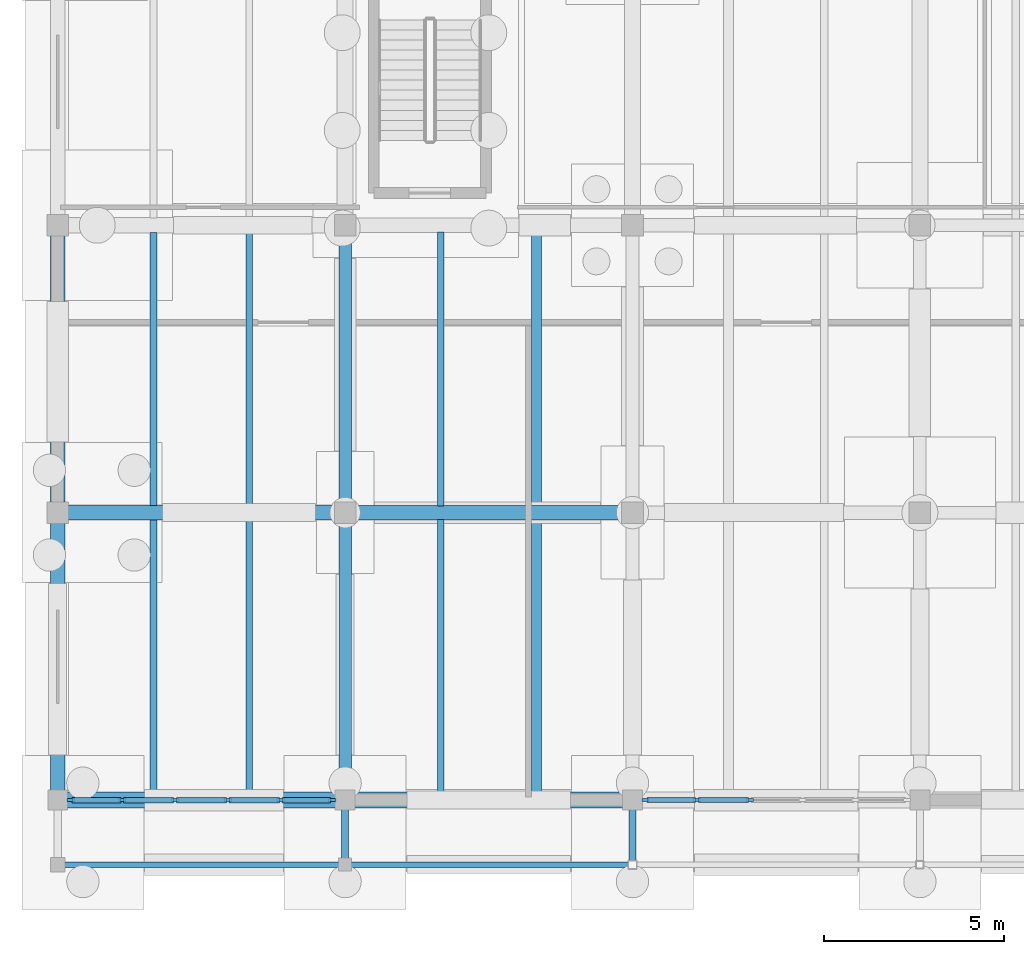
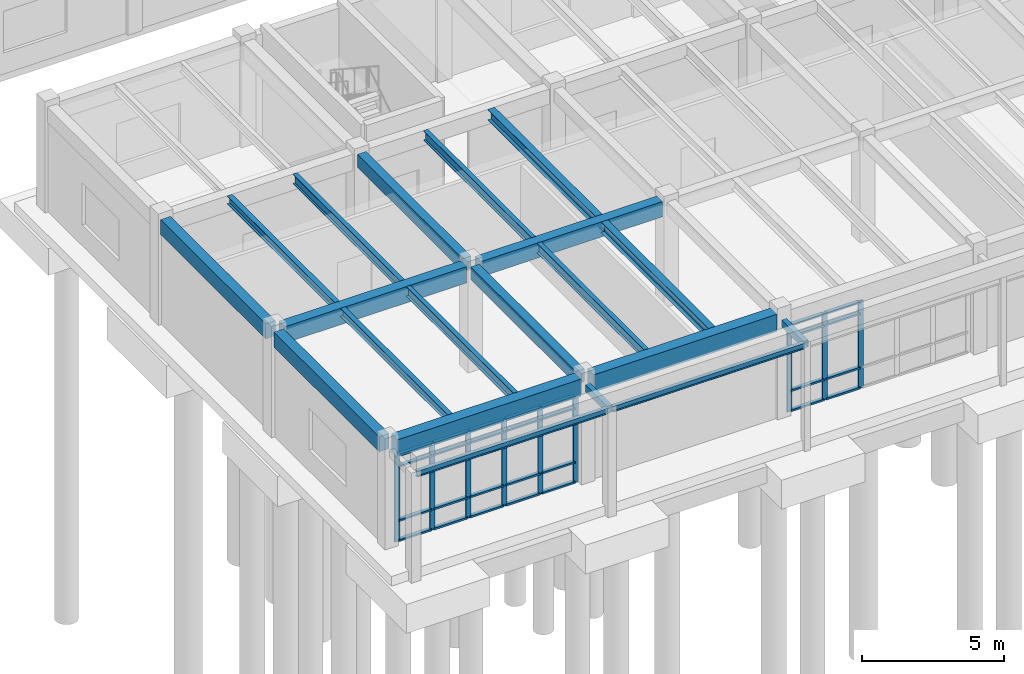
# One storey, part 13 of 64: 37 members, 20 beams, 2 elements without a shape of their own.
"""IFC4 building model written with IfcOpenShell, lengths in metres."""

from ifc_helpers import new_model, si_unit, direction, frame, origin, origin_2d, place, context, subcontext, project, spatial, rectangle, hollow_rectangle, i_section, extrude, material, material_profile, profile_set, type_object, element, aggregate, save


model = new_model("IFC4")

# Units and contexts
model_context = context("Model", 3, precision=1e-05, world=origin(), true_north=direction((0.0, 1.0)))
body_context = subcontext(model_context, "Body", "Model", "MODEL_VIEW")
ifc_project = project(units=[si_unit("LENGTHUNIT", "METRE"), si_unit("AREAUNIT", "SQUARE_METRE"), si_unit("VOLUMEUNIT", "CUBIC_METRE"), si_unit("PLANEANGLEUNIT", "RADIAN"), si_unit("MASSUNIT", "GRAM", prefix="KILO")], contexts=[model_context])

# Site, building, storey
site_placement = place(None, origin())
site = spatial("IfcSite", under=ifc_project, at=site_placement, CompositionType="ELEMENT")
building_placement = place(site_placement, origin())
building = spatial("IfcBuilding", under=site, at=building_placement, Name="Tlaxcora Railside Police Headquarters", CompositionType="ELEMENT")
storey_placement = place(building_placement, origin())
storey = spatial("IfcBuildingStorey", under=building, at=storey_placement, Name="L00", CompositionType="ELEMENT", Elevation=0.0)

# Curtain wall, members
ifc_material_1 = material(Name="Thermally broken low-E insulated glazing", Category="glass")
curtain_wall_type_1 = type_object("IfcCurtainWallType", Name="Unitised Curtain Wall Assembly CW-38", PredefinedType="NOTDEFINED", material=ifc_material_1)
curtain_wall_1_placement = place(storey_placement, origin())
curtain_wall_1 = element("IfcCurtainWall", 1, at=curtain_wall_1_placement, inside=storey, type_object=curtain_wall_type_1, Name="V4 L00 curtain wall 21", PredefinedType="NOTDEFINED")
ifc_material_2 = material(Name="Anodised aluminium framing", Category="aluminium")
ifc_material_profile_1 = material_profile(ifc_material_2, rectangle(XDim=0.074951171875, YDim=0.205078125, at=origin_2d()), Name="AL75X205")
ifc_profile_set_1 = profile_set([ifc_material_profile_1], Name="Anodised aluminium framing")
member_type_1 = type_object("IfcMemberType", Name="Curtain Wall Mullion CW-32", PredefinedType="MULLION", material=ifc_profile_set_1)
member_1_placement = place(storey_placement, frame((5.5625, 12.0, 0.0), z_axis=(0.0, 0.0, 1.0), x_axis=(0.0, 1.0, 0.0)))
member_1 = element("IfcMember", 2, at=member_1_placement, type_object=member_type_1, Name="CW mullion 1", PredefinedType="MULLION", context=body_context, shape_type="SweptSolid", body=[
    extrude(rectangle(XDim=0.074951171875, YDim=0.205078125, at=origin_2d()), origin(), (0.0, 0.0, 1.0), 3.760009765625),
])
member_2_placement = place(storey_placement, frame((6.9951171875, 12.0, 0.0), z_axis=(0.0, 0.0, 1.0), x_axis=(0.0, 1.0, 0.0)))
member_2 = element("IfcMember", 3, at=member_2_placement, type_object=member_type_1, Name="CW mullion 2", PredefinedType="MULLION", context=body_context, shape_type="SweptSolid", body=[
    extrude(rectangle(XDim=0.074951171875, YDim=0.205078125, at=origin_2d()), origin(), (0.0, 0.0, 1.0), 3.760009765625),
])
member_3_placement = place(storey_placement, frame((8.465087890625, 12.0, 0.0), z_axis=(0.0, 0.0, 1.0), x_axis=(0.0, 1.0, 0.0)))
member_3 = element("IfcMember", 4, at=member_3_placement, type_object=member_type_1, Name="CW mullion 3", PredefinedType="MULLION", context=body_context, shape_type="SweptSolid", body=[
    extrude(rectangle(XDim=0.074951171875, YDim=0.205078125, at=origin_2d()), origin(), (0.0, 0.0, 1.0), 3.760009765625),
])
member_4_placement = place(storey_placement, frame((9.93505859375, 12.0, 0.0), z_axis=(0.0, 0.0, 1.0), x_axis=(0.0, 1.0, 0.0)))
member_4 = element("IfcMember", 5, at=member_4_placement, type_object=member_type_1, Name="CW mullion 4", PredefinedType="MULLION", context=body_context, shape_type="SweptSolid", body=[
    extrude(rectangle(XDim=0.074951171875, YDim=0.205078125, at=origin_2d()), origin(), (0.0, 0.0, 1.0), 3.760009765625),
])
member_5_placement = place(storey_placement, frame((11.405029296875, 12.0, 0.0), z_axis=(0.0, 0.0, 1.0), x_axis=(0.0, 1.0, 0.0)))
member_5 = element("IfcMember", 6, at=member_5_placement, type_object=member_type_1, Name="CW mullion 5", PredefinedType="MULLION", context=body_context, shape_type="SweptSolid", body=[
    extrude(rectangle(XDim=0.074951171875, YDim=0.205078125, at=origin_2d()), origin(), (0.0, 0.0, 1.0), 3.760009765625),
])
member_6_placement = place(storey_placement, frame((12.83740234375, 12.0, 0.0), z_axis=(0.0, 0.0, 1.0), x_axis=(0.0, 1.0, 0.0)))
member_6 = element("IfcMember", 7, at=member_6_placement, type_object=member_type_1, Name="CW mullion 6", PredefinedType="MULLION", context=body_context, shape_type="SweptSolid", body=[
    extrude(rectangle(XDim=0.074951171875, YDim=0.205078125, at=origin_2d()), origin(), (0.0, 0.0, 1.0), 3.760009765625),
])

curtain_wall_type_2 = type_object("IfcCurtainWallType", Name="Unitised Curtain Wall Assembly CW-15", PredefinedType="NOTDEFINED", material=ifc_material_1)
curtain_wall_2_placement = place(storey_placement, origin())
curtain_wall_2 = element("IfcCurtainWall", 8, at=curtain_wall_2_placement, inside=storey, type_object=curtain_wall_type_2, Name="V4 L00 curtain wall 22", PredefinedType="NOTDEFINED")
ifc_material_profile_2 = material_profile(ifc_material_2, rectangle(XDim=0.074951171875, YDim=0.199951171875, at=origin_2d()), Name="AL75X200")
ifc_profile_set_2 = profile_set([ifc_material_profile_2], Name="Anodised aluminium framing")
member_type_2 = type_object("IfcMemberType", Name="Curtain Wall Mullion CW-58", PredefinedType="MULLION", material=ifc_profile_set_2)
member_7_placement = place(storey_placement, frame((21.5625, 12.0, 0.0), z_axis=(0.0, 0.0, 1.0), x_axis=(0.0, 1.0, 0.0)))
member_7 = element("IfcMember", 9, at=member_7_placement, type_object=member_type_2, Name="CW mullion 1", PredefinedType="MULLION", context=body_context, shape_type="SweptSolid", body=[
    extrude(rectangle(XDim=0.074951171875, YDim=0.199951171875, at=origin_2d()), origin(), (0.0, 0.0, 1.0), 3.760009765625),
])
member_8_placement = place(storey_placement, frame((22.9951171875, 12.0, 0.0), z_axis=(0.0, 0.0, 1.0), x_axis=(0.0, 1.0, 0.0)))
member_8 = element("IfcMember", 10, at=member_8_placement, type_object=member_type_2, Name="CW mullion 2", PredefinedType="MULLION", context=body_context, shape_type="SweptSolid", body=[
    extrude(rectangle(XDim=0.074951171875, YDim=0.199951171875, at=origin_2d()), origin(), (0.0, 0.0, 1.0), 3.760009765625),
])
member_9_placement = place(storey_placement, frame((24.465087890625, 12.0, 0.0), z_axis=(0.0, 0.0, 1.0), x_axis=(0.0, 1.0, 0.0)))
member_9 = element("IfcMember", 11, at=member_9_placement, type_object=member_type_2, Name="CW mullion 3", PredefinedType="MULLION", context=body_context, shape_type="SweptSolid", body=[
    extrude(rectangle(XDim=0.074951171875, YDim=0.199951171875, at=origin_2d()), origin(), (0.0, 0.0, 1.0), 3.760009765625),
])
ifc_material_profile_3 = material_profile(ifc_material_2, rectangle(XDim=0.14990234375, YDim=0.074951171875, at=origin_2d()), Name="AL75X150")
ifc_profile_set_3 = profile_set([ifc_material_profile_3], Name="Anodised aluminium framing")
member_type_3 = type_object("IfcMemberType", Name="Curtain Wall Transom CW-28", PredefinedType="USERDEFINED", material=ifc_profile_set_3)
member_10_placement = place(storey_placement, frame((21.60009765625, 12.0, 0.03759765625), z_axis=(1.0, 0.0, 0.0), x_axis=(0.0, 1.0, 0.0)))
member_10 = element("IfcMember", 12, at=member_10_placement, type_object=member_type_3, Name="CW transom 1.1", ObjectType="TRANSOM", PredefinedType="USERDEFINED", context=body_context, shape_type="SweptSolid", body=[
    extrude(rectangle(XDim=0.14990234375, YDim=0.074951171875, at=origin_2d()), origin(), (0.0, 0.0, 1.0), 1.357421875),
])
member_11_placement = place(storey_placement, frame((21.60009765625, 12.0, 0.89990234375), z_axis=(1.0, 0.0, 0.0), x_axis=(0.0, 1.0, 0.0)))
member_11 = element("IfcMember", 13, at=member_11_placement, type_object=member_type_3, Name="CW transom 1.2", ObjectType="TRANSOM", PredefinedType="USERDEFINED", context=body_context, shape_type="SweptSolid", body=[
    extrude(rectangle(XDim=0.14990234375, YDim=0.074951171875, at=origin_2d()), origin(), (0.0, 0.0, 1.0), 1.357421875),
])
member_12_placement = place(storey_placement, frame((21.60009765625, 12.0, 3.22998046875), z_axis=(1.0, 0.0, 0.0), x_axis=(0.0, 1.0, 0.0)))
member_12 = element("IfcMember", 14, at=member_12_placement, type_object=member_type_3, Name="CW transom 1.3", ObjectType="TRANSOM", PredefinedType="USERDEFINED", context=body_context, shape_type="SweptSolid", body=[
    extrude(rectangle(XDim=0.14990234375, YDim=0.074951171875, at=origin_2d()), origin(), (0.0, 0.0, 1.0), 1.357421875),
])
member_13_placement = place(storey_placement, frame((21.60009765625, 12.0, 3.722412109375), z_axis=(1.0, 0.0, 0.0), x_axis=(0.0, 1.0, 0.0)))
member_13 = element("IfcMember", 15, at=member_13_placement, type_object=member_type_3, Name="CW transom 1.4", ObjectType="TRANSOM", PredefinedType="USERDEFINED", context=body_context, shape_type="SweptSolid", body=[
    extrude(rectangle(XDim=0.14990234375, YDim=0.074951171875, at=origin_2d()), origin(), (0.0, 0.0, 1.0), 1.357421875),
])
member_14_placement = place(storey_placement, frame((23.032470703125, 12.0, 0.03759765625), z_axis=(1.0, 0.0, 0.0), x_axis=(0.0, 1.0, 0.0)))
member_14 = element("IfcMember", 16, at=member_14_placement, type_object=member_type_3, Name="CW transom 2.1", ObjectType="TRANSOM", PredefinedType="USERDEFINED", context=body_context, shape_type="SweptSolid", body=[
    extrude(rectangle(XDim=0.14990234375, YDim=0.074951171875, at=origin_2d()), origin(), (0.0, 0.0, 1.0), 1.39501953125),
])
member_15_placement = place(storey_placement, frame((23.032470703125, 12.0, 0.89990234375), z_axis=(1.0, 0.0, 0.0), x_axis=(0.0, 1.0, 0.0)))
member_15 = element("IfcMember", 17, at=member_15_placement, type_object=member_type_3, Name="CW transom 2.2", ObjectType="TRANSOM", PredefinedType="USERDEFINED", context=body_context, shape_type="SweptSolid", body=[
    extrude(rectangle(XDim=0.14990234375, YDim=0.074951171875, at=origin_2d()), origin(), (0.0, 0.0, 1.0), 1.39501953125),
])
member_16_placement = place(storey_placement, frame((23.032470703125, 12.0, 3.22998046875), z_axis=(1.0, 0.0, 0.0), x_axis=(0.0, 1.0, 0.0)))
member_16 = element("IfcMember", 18, at=member_16_placement, type_object=member_type_3, Name="CW transom 2.3", ObjectType="TRANSOM", PredefinedType="USERDEFINED", context=body_context, shape_type="SweptSolid", body=[
    extrude(rectangle(XDim=0.14990234375, YDim=0.074951171875, at=origin_2d()), origin(), (0.0, 0.0, 1.0), 1.39501953125),
])
member_17_placement = place(storey_placement, frame((23.032470703125, 12.0, 3.722412109375), z_axis=(1.0, 0.0, 0.0), x_axis=(0.0, 1.0, 0.0)))
member_17 = element("IfcMember", 19, at=member_17_placement, type_object=member_type_3, Name="CW transom 2.4", ObjectType="TRANSOM", PredefinedType="USERDEFINED", context=body_context, shape_type="SweptSolid", body=[
    extrude(rectangle(XDim=0.14990234375, YDim=0.074951171875, at=origin_2d()), origin(), (0.0, 0.0, 1.0), 1.39501953125),
])
aggregate(curtain_wall_2, [member_7, member_8, member_9, member_10, member_11, member_12, member_13, member_14, member_15, member_16, member_17])

# Member
ifc_material_profile_4 = material_profile(ifc_material_2, rectangle(XDim=0.155029296875, YDim=0.074951171875, at=origin_2d()), Name="AL75X155")
ifc_profile_set_4 = profile_set([ifc_material_profile_4], Name="Anodised aluminium framing")
member_type_4 = type_object("IfcMemberType", Name="Curtain Wall Transom CW-30", PredefinedType="USERDEFINED", material=ifc_profile_set_4)
member_18_placement = place(storey_placement, frame((5.60009765625, 12.0, 0.03759765625), z_axis=(1.0, 0.0, 0.0), x_axis=(0.0, 1.0, 0.0)))
member_18 = element("IfcMember", 20, at=member_18_placement, type_object=member_type_4, Name="CW transom 1.1", ObjectType="TRANSOM", PredefinedType="USERDEFINED", context=body_context, shape_type="SweptSolid", body=[
    extrude(rectangle(XDim=0.155029296875, YDim=0.074951171875, at=origin_2d()), origin(), (0.0, 0.0, 1.0), 1.357421875),
])

member_19_placement = place(storey_placement, frame((5.60009765625, 12.0, 0.89990234375), z_axis=(1.0, 0.0, 0.0), x_axis=(0.0, 1.0, 0.0)))
member_19 = element("IfcMember", 21, at=member_19_placement, type_object=member_type_4, Name="CW transom 1.2", ObjectType="TRANSOM", PredefinedType="USERDEFINED", context=body_context, shape_type="SweptSolid", body=[
    extrude(rectangle(XDim=0.155029296875, YDim=0.074951171875, at=origin_2d()), origin(), (0.0, 0.0, 1.0), 1.357421875),
])

member_20_placement = place(storey_placement, frame((5.60009765625, 12.0, 3.22998046875), z_axis=(1.0, 0.0, 0.0), x_axis=(0.0, 1.0, 0.0)))
member_20 = element("IfcMember", 22, at=member_20_placement, type_object=member_type_4, Name="CW transom 1.3", ObjectType="TRANSOM", PredefinedType="USERDEFINED", context=body_context, shape_type="SweptSolid", body=[
    extrude(rectangle(XDim=0.155029296875, YDim=0.074951171875, at=origin_2d()), origin(), (0.0, 0.0, 1.0), 1.357421875),
])

member_21_placement = place(storey_placement, frame((5.60009765625, 12.0, 3.722412109375), z_axis=(1.0, 0.0, 0.0), x_axis=(0.0, 1.0, 0.0)))
member_21 = element("IfcMember", 23, at=member_21_placement, type_object=member_type_4, Name="CW transom 1.4", ObjectType="TRANSOM", PredefinedType="USERDEFINED", context=body_context, shape_type="SweptSolid", body=[
    extrude(rectangle(XDim=0.155029296875, YDim=0.074951171875, at=origin_2d()), origin(), (0.0, 0.0, 1.0), 1.357421875),
])

member_22_placement = place(storey_placement, frame((7.032470703125, 12.0, 0.03759765625), z_axis=(1.0, 0.0, 0.0), x_axis=(0.0, 1.0, 0.0)))
member_22 = element("IfcMember", 24, at=member_22_placement, type_object=member_type_4, Name="CW transom 2.1", ObjectType="TRANSOM", PredefinedType="USERDEFINED", context=body_context, shape_type="SweptSolid", body=[
    extrude(rectangle(XDim=0.155029296875, YDim=0.074951171875, at=origin_2d()), origin(), (0.0, 0.0, 1.0), 1.39501953125),
])

member_23_placement = place(storey_placement, frame((7.032470703125, 12.0, 0.89990234375), z_axis=(1.0, 0.0, 0.0), x_axis=(0.0, 1.0, 0.0)))
member_23 = element("IfcMember", 25, at=member_23_placement, type_object=member_type_4, Name="CW transom 2.2", ObjectType="TRANSOM", PredefinedType="USERDEFINED", context=body_context, shape_type="SweptSolid", body=[
    extrude(rectangle(XDim=0.155029296875, YDim=0.074951171875, at=origin_2d()), origin(), (0.0, 0.0, 1.0), 1.39501953125),
])

member_24_placement = place(storey_placement, frame((7.032470703125, 12.0, 3.22998046875), z_axis=(1.0, 0.0, 0.0), x_axis=(0.0, 1.0, 0.0)))
member_24 = element("IfcMember", 26, at=member_24_placement, type_object=member_type_4, Name="CW transom 2.3", ObjectType="TRANSOM", PredefinedType="USERDEFINED", context=body_context, shape_type="SweptSolid", body=[
    extrude(rectangle(XDim=0.155029296875, YDim=0.074951171875, at=origin_2d()), origin(), (0.0, 0.0, 1.0), 1.39501953125),
])

member_25_placement = place(storey_placement, frame((7.032470703125, 12.0, 3.722412109375), z_axis=(1.0, 0.0, 0.0), x_axis=(0.0, 1.0, 0.0)))
member_25 = element("IfcMember", 27, at=member_25_placement, type_object=member_type_4, Name="CW transom 2.4", ObjectType="TRANSOM", PredefinedType="USERDEFINED", context=body_context, shape_type="SweptSolid", body=[
    extrude(rectangle(XDim=0.155029296875, YDim=0.074951171875, at=origin_2d()), origin(), (0.0, 0.0, 1.0), 1.39501953125),
])

member_26_placement = place(storey_placement, frame((8.50244140625, 12.0, 0.03759765625), z_axis=(1.0, 0.0, 0.0), x_axis=(0.0, 1.0, 0.0)))
member_26 = element("IfcMember", 28, at=member_26_placement, type_object=member_type_4, Name="CW transom 3.1", ObjectType="TRANSOM", PredefinedType="USERDEFINED", context=body_context, shape_type="SweptSolid", body=[
    extrude(rectangle(XDim=0.155029296875, YDim=0.074951171875, at=origin_2d()), origin(), (0.0, 0.0, 1.0), 1.39501953125),
])

member_27_placement = place(storey_placement, frame((8.50244140625, 12.0, 0.89990234375), z_axis=(1.0, 0.0, 0.0), x_axis=(0.0, 1.0, 0.0)))
member_27 = element("IfcMember", 29, at=member_27_placement, type_object=member_type_4, Name="CW transom 3.2", ObjectType="TRANSOM", PredefinedType="USERDEFINED", context=body_context, shape_type="SweptSolid", body=[
    extrude(rectangle(XDim=0.155029296875, YDim=0.074951171875, at=origin_2d()), origin(), (0.0, 0.0, 1.0), 1.39501953125),
])

member_28_placement = place(storey_placement, frame((8.50244140625, 12.0, 3.22998046875), z_axis=(1.0, 0.0, 0.0), x_axis=(0.0, 1.0, 0.0)))
member_28 = element("IfcMember", 30, at=member_28_placement, type_object=member_type_4, Name="CW transom 3.3", ObjectType="TRANSOM", PredefinedType="USERDEFINED", context=body_context, shape_type="SweptSolid", body=[
    extrude(rectangle(XDim=0.155029296875, YDim=0.074951171875, at=origin_2d()), origin(), (0.0, 0.0, 1.0), 1.39501953125),
])

member_29_placement = place(storey_placement, frame((8.50244140625, 12.0, 3.722412109375), z_axis=(1.0, 0.0, 0.0), x_axis=(0.0, 1.0, 0.0)))
member_29 = element("IfcMember", 31, at=member_29_placement, type_object=member_type_4, Name="CW transom 3.4", ObjectType="TRANSOM", PredefinedType="USERDEFINED", context=body_context, shape_type="SweptSolid", body=[
    extrude(rectangle(XDim=0.155029296875, YDim=0.074951171875, at=origin_2d()), origin(), (0.0, 0.0, 1.0), 1.39501953125),
])

member_30_placement = place(storey_placement, frame((9.972412109375, 12.0, 0.03759765625), z_axis=(1.0, 0.0, 0.0), x_axis=(0.0, 1.0, 0.0)))
member_30 = element("IfcMember", 32, at=member_30_placement, type_object=member_type_4, Name="CW transom 4.1", ObjectType="TRANSOM", PredefinedType="USERDEFINED", context=body_context, shape_type="SweptSolid", body=[
    extrude(rectangle(XDim=0.155029296875, YDim=0.074951171875, at=origin_2d()), origin(), (0.0, 0.0, 1.0), 1.39501953125),
])

member_31_placement = place(storey_placement, frame((9.972412109375, 12.0, 0.89990234375), z_axis=(1.0, 0.0, 0.0), x_axis=(0.0, 1.0, 0.0)))
member_31 = element("IfcMember", 33, at=member_31_placement, type_object=member_type_4, Name="CW transom 4.2", ObjectType="TRANSOM", PredefinedType="USERDEFINED", context=body_context, shape_type="SweptSolid", body=[
    extrude(rectangle(XDim=0.155029296875, YDim=0.074951171875, at=origin_2d()), origin(), (0.0, 0.0, 1.0), 1.39501953125),
])

member_32_placement = place(storey_placement, frame((9.972412109375, 12.0, 3.22998046875), z_axis=(1.0, 0.0, 0.0), x_axis=(0.0, 1.0, 0.0)))
member_32 = element("IfcMember", 34, at=member_32_placement, type_object=member_type_4, Name="CW transom 4.3", ObjectType="TRANSOM", PredefinedType="USERDEFINED", context=body_context, shape_type="SweptSolid", body=[
    extrude(rectangle(XDim=0.155029296875, YDim=0.074951171875, at=origin_2d()), origin(), (0.0, 0.0, 1.0), 1.39501953125),
])

member_33_placement = place(storey_placement, frame((9.972412109375, 12.0, 3.722412109375), z_axis=(1.0, 0.0, 0.0), x_axis=(0.0, 1.0, 0.0)))
member_33 = element("IfcMember", 35, at=member_33_placement, type_object=member_type_4, Name="CW transom 4.4", ObjectType="TRANSOM", PredefinedType="USERDEFINED", context=body_context, shape_type="SweptSolid", body=[
    extrude(rectangle(XDim=0.155029296875, YDim=0.074951171875, at=origin_2d()), origin(), (0.0, 0.0, 1.0), 1.39501953125),
])

member_34_placement = place(storey_placement, frame((11.4423828125, 12.0, 0.03759765625), z_axis=(1.0, 0.0, 0.0), x_axis=(0.0, 1.0, 0.0)))
member_34 = element("IfcMember", 36, at=member_34_placement, type_object=member_type_4, Name="CW transom 5.1", ObjectType="TRANSOM", PredefinedType="USERDEFINED", context=body_context, shape_type="SweptSolid", body=[
    extrude(rectangle(XDim=0.155029296875, YDim=0.074951171875, at=origin_2d()), origin(), (0.0, 0.0, 1.0), 1.357666015625),
])

member_35_placement = place(storey_placement, frame((11.4423828125, 12.0, 0.89990234375), z_axis=(1.0, 0.0, 0.0), x_axis=(0.0, 1.0, 0.0)))
member_35 = element("IfcMember", 37, at=member_35_placement, type_object=member_type_4, Name="CW transom 5.2", ObjectType="TRANSOM", PredefinedType="USERDEFINED", context=body_context, shape_type="SweptSolid", body=[
    extrude(rectangle(XDim=0.155029296875, YDim=0.074951171875, at=origin_2d()), origin(), (0.0, 0.0, 1.0), 1.357666015625),
])

member_36_placement = place(storey_placement, frame((11.4423828125, 12.0, 3.22998046875), z_axis=(1.0, 0.0, 0.0), x_axis=(0.0, 1.0, 0.0)))
member_36 = element("IfcMember", 38, at=member_36_placement, type_object=member_type_4, Name="CW transom 5.3", ObjectType="TRANSOM", PredefinedType="USERDEFINED", context=body_context, shape_type="SweptSolid", body=[
    extrude(rectangle(XDim=0.155029296875, YDim=0.074951171875, at=origin_2d()), origin(), (0.0, 0.0, 1.0), 1.357666015625),
])

member_37_placement = place(storey_placement, frame((11.4423828125, 12.0, 3.722412109375), z_axis=(1.0, 0.0, 0.0), x_axis=(0.0, 1.0, 0.0)))
member_37 = element("IfcMember", 39, at=member_37_placement, type_object=member_type_4, Name="CW transom 5.4", ObjectType="TRANSOM", PredefinedType="USERDEFINED", context=body_context, shape_type="SweptSolid", body=[
    extrude(rectangle(XDim=0.155029296875, YDim=0.074951171875, at=origin_2d()), origin(), (0.0, 0.0, 1.0), 1.357666015625),
])

aggregate(curtain_wall_1, [member_1, member_2, member_3, member_4, member_5, member_6, member_18, member_19, member_20, member_21, member_22, member_23, member_24, member_25, member_26, member_27, member_28, member_29, member_30, member_31, member_32, member_33, member_34, member_35, member_36, member_37])

# Beams
ifc_material_3 = material(Name="Steel ASTM A992 Grade 50", Category="steel")
ifc_material_profile_5 = material_profile(ifc_material_3, i_section(OverallWidth=0.14599609375, OverallDepth=0.258056640625, WebThickness=0.006103515625, FlangeThickness=0.009033203125, at=origin_2d()), Name="W10X22")
ifc_profile_set_5 = profile_set([ifc_material_profile_5], Name="Steel ASTM A992 Grade 50")
beam_type_1 = type_object("IfcBeamType", Name="Opening Lintel Beam BM-36", PredefinedType="LINTEL", material=ifc_profile_set_5)
for number, where, z_axis, x_axis, name in (
    (40, (5.300048828125, 10.199951171875, 4.10009765625), (1.0, 0.0, 0.0), (0.0, 1.0, 0.0), "Forecourt loggia lintel X=5.2..13.2"),
    (41, (13.300048828125, 10.199951171875, 4.10009765625), (1.0, 0.0, 0.0), (0.0, 1.0, 0.0), "Forecourt loggia lintel X=13.2..21.2"),
):
    element("IfcBeam", number, at=place(storey_placement, frame(where, z_axis=z_axis, x_axis=x_axis)), inside=storey, type_object=beam_type_1, Name=name, PredefinedType="LINTEL", context=body_context, shape_type="SweptSolid", body=[
        extrude(i_section(OverallWidth=0.14599609375, OverallDepth=0.258056640625, WebThickness=0.006103515625, FlangeThickness=0.009033203125, at=origin_2d()), origin(), (0.0, 0.0, 1.0), 7.800048828125),
    ])
ifc_material_profile_6 = material_profile(ifc_material_3, hollow_rectangle(XDim=0.199951171875, YDim=0.300048828125, WallThickness=0.010009765625, at=origin_2d()), Name="HSS300X200X10")
ifc_profile_set_6 = profile_set([ifc_material_profile_6], Name="Steel ASTM A992 Grade 50")
beam_type_2 = type_object("IfcBeamType", Name="Opening Lintel Beam BM-74", PredefinedType="LINTEL", material=ifc_profile_set_6)
for number, where, z_axis, x_axis, name in (
    (42, (13.199951171875, 10.199951171875, 4.10009765625), (0.0, 1.0, 0.0), (-1.0, 0.0, 0.0), "Forecourt loggia tie beam X=13.2"),
    (43, (21.199951171875, 10.199951171875, 4.10009765625), (0.0, 1.0, 0.0), (-1.0, 0.0, 0.0), "Forecourt loggia tie beam X=21.2"),
):
    element("IfcBeam", number, at=place(storey_placement, frame(where, z_axis=z_axis, x_axis=x_axis)), inside=storey, type_object=beam_type_2, Name=name, PredefinedType="LINTEL", context=body_context, shape_type="SweptSolid", body=[
        extrude(hollow_rectangle(XDim=0.199951171875, YDim=0.300048828125, WallThickness=0.010009765625, at=origin_2d()), origin(), (0.0, 0.0, 1.0), 1.550048828125),
    ])
ifc_material_4 = material(Name="Concrete C40/50", Category="concrete")
ifc_material_profile_7 = material_profile(ifc_material_4, rectangle(XDim=0.39990234375, YDim=0.64990234375, at=origin_2d()), Name="RC400X650")
ifc_profile_set_7 = profile_set([ifc_material_profile_7], Name="Concrete C40/50")
beam_type_3 = type_object("IfcBeamType", Name="Perimeter Spandrel Beam BM-46", PredefinedType="SPANDREL", material=ifc_profile_set_7)
beam_1_placement = place(storey_placement, frame((5.199951171875, 12.264892578125, 4.205078125), z_axis=(0.0, 1.0, 0.0), x_axis=(-1.0, 0.0, 0.0)))
element("IfcBeam", 44, at=beam_1_placement, inside=storey, type_object=beam_type_3, Name="V4 L00 Y-girder X=5.2", PredefinedType="SPANDREL", context=body_context, shape_type="SweptSolid", body=[
    extrude(rectangle(XDim=0.39990234375, YDim=0.64990234375, at=origin_2d()), origin(), (0.0, 0.0, 1.0), 7.445068359375),
])
beam_2_placement = place(storey_placement, frame((5.199951171875, 20.2900390625, 4.205078125), z_axis=(0.0, 1.0, 0.0), x_axis=(-1.0, 0.0, 0.0)))
element("IfcBeam", 45, at=beam_2_placement, inside=storey, type_object=beam_type_3, Name="V4 L00 Y-girder X=5.2", PredefinedType="SPANDREL", context=body_context, shape_type="SweptSolid", body=[
    extrude(rectangle(XDim=0.39990234375, YDim=0.64990234375, at=origin_2d()), origin(), (0.0, 0.0, 1.0), 7.419921875),
])
ifc_material_profile_8 = material_profile(ifc_material_4, rectangle(XDim=0.449951171875, YDim=0.75, at=origin_2d()), Name="RC450X750")
ifc_profile_set_8 = profile_set([ifc_material_profile_8], Name="Concrete C40/50")
beam_type_4 = type_object("IfcBeamType", Name="Perimeter Spandrel Beam BM-86", PredefinedType="SPANDREL", material=ifc_profile_set_8)
for number, where, z_axis, x_axis, name in (
    (46, (5.465087890625, 12.0, 4.155029296875), (1.0, 0.0, 0.0), (0.0, 1.0, 0.0), "V4 L00 X-girder Y=12.0"),
    (47, (13.465087890625, 12.0, 4.155029296875), (1.0, 0.0, 0.0), (0.0, 1.0, 0.0), "V4 L00 X-girder Y=12.0"),
):
    element("IfcBeam", number, at=place(storey_placement, frame(where, z_axis=z_axis, x_axis=x_axis)), inside=storey, type_object=beam_type_4, Name=name, PredefinedType="SPANDREL", context=body_context, shape_type="SweptSolid", body=[
        extrude(rectangle(XDim=0.449951171875, YDim=0.75, at=origin_2d()), origin(), (0.0, 0.0, 1.0), 7.469970703125),
    ])
ifc_material_profile_9 = material_profile(ifc_material_4, rectangle(XDim=0.419921875, YDim=0.699951171875, at=origin_2d()), Name="RC420X700")
ifc_profile_set_9 = profile_set([ifc_material_profile_9], Name="Concrete C40/50")
beam_type_5 = type_object("IfcBeamType", Name="Primary Frame Girder BM-35", PredefinedType="BEAM", material=ifc_profile_set_9)
beam_3_placement = place(storey_placement, frame((5.489990234375, 20.0, 4.179931640625), z_axis=(1.0, 0.0, 0.0), x_axis=(0.0, 1.0, 0.0)))
element("IfcBeam", 48, at=beam_3_placement, inside=storey, type_object=beam_type_5, Name="V4 L00 X-girder Y=20.0", PredefinedType="BEAM", context=body_context, shape_type="SweptSolid", body=[
    extrude(rectangle(XDim=0.419921875, YDim=0.699951171875, at=origin_2d()), origin(), (0.0, 0.0, 1.0), 7.419921875),
])
ifc_material_profile_10 = material_profile(ifc_material_4, rectangle(XDim=0.35009765625, YDim=0.550048828125, at=origin_2d()), Name="RC350X550")
ifc_profile_set_10 = profile_set([ifc_material_profile_10], Name="Concrete C40/50")
beam_type_6 = type_object("IfcBeamType", Name="Primary Frame Girder BM-39", PredefinedType="BEAM", material=ifc_profile_set_10)
beam_4_placement = place(storey_placement, frame((13.199951171875, 12.264892578125, 4.2548828125), z_axis=(0.0, 1.0, 0.0), x_axis=(-1.0, 0.0, 0.0)))
element("IfcBeam", 49, at=beam_4_placement, inside=storey, type_object=beam_type_6, Name="V4 L00 Y-girder X=13.2", PredefinedType="BEAM", context=body_context, shape_type="SweptSolid", body=[
    extrude(rectangle(XDim=0.35009765625, YDim=0.550048828125, at=origin_2d()), origin(), (0.0, 0.0, 1.0), 7.445068359375),
])
beam_5_placement = place(storey_placement, frame((13.199951171875, 20.2900390625, 4.2548828125), z_axis=(0.0, 1.0, 0.0), x_axis=(-1.0, 0.0, 0.0)))
element("IfcBeam", 50, at=beam_5_placement, inside=storey, type_object=beam_type_6, Name="V4 L00 Y-girder X=13.2", PredefinedType="BEAM", context=body_context, shape_type="SweptSolid", body=[
    extrude(rectangle(XDim=0.35009765625, YDim=0.550048828125, at=origin_2d()), origin(), (0.0, 0.0, 1.0), 7.419921875),
])
ifc_material_profile_11 = material_profile(ifc_material_4, rectangle(XDim=0.39990234375, YDim=0.64990234375, at=origin_2d()), Name="RC400X650")
ifc_profile_set_11 = profile_set([ifc_material_profile_11], Name="Concrete C40/50")
beam_type_7 = type_object("IfcBeamType", Name="Primary Frame Girder BM-41", PredefinedType="BEAM", material=ifc_profile_set_11)
beam_6_placement = place(storey_placement, frame((13.489990234375, 20.0, 4.205078125), z_axis=(1.0, 0.0, 0.0), x_axis=(0.0, 1.0, 0.0)))
element("IfcBeam", 51, at=beam_6_placement, inside=storey, type_object=beam_type_7, Name="V4 L00 X-girder Y=20.0", PredefinedType="BEAM", context=body_context, shape_type="SweptSolid", body=[
    extrude(rectangle(XDim=0.39990234375, YDim=0.64990234375, at=origin_2d()), origin(), (0.0, 0.0, 1.0), 7.419921875),
])
ifc_material_profile_12 = material_profile(ifc_material_3, i_section(OverallWidth=0.280029296875, OverallDepth=0.4619140625, WebThickness=0.0107421875, FlangeThickness=0.017333984375, at=origin_2d()), Name="W18X76")
ifc_profile_set_12 = profile_set([ifc_material_profile_12], Name="Steel ASTM A992 Grade 50")
beam_type_8 = type_object("IfcBeamType", Name="Secondary Floor Joist BM-44", PredefinedType="JOIST", material=ifc_profile_set_12)
beam_7_placement = place(storey_placement, frame((18.533203125, 12.217041015625, 4.299072265625), z_axis=(0.0, 1.0, 0.0), x_axis=(-1.0, 0.0, 0.0)))
element("IfcBeam", 52, at=beam_7_placement, inside=storey, type_object=beam_type_8, Name="V4 L00 floor joist X=18.53", PredefinedType="JOIST", context=body_context, shape_type="SweptSolid", body=[
    extrude(i_section(OverallWidth=0.280029296875, OverallDepth=0.4619140625, WebThickness=0.0107421875, FlangeThickness=0.017333984375, at=origin_2d()), origin(), (0.0, 0.0, 1.0), 7.591064453125),
])
beam_8_placement = place(storey_placement, frame((18.533203125, 20.19189453125, 4.299072265625), z_axis=(0.0, 1.0, 0.0), x_axis=(-1.0, 0.0, 0.0)))
element("IfcBeam", 53, at=beam_8_placement, inside=storey, type_object=beam_type_8, Name="V4 L00 floor joist X=18.53", PredefinedType="JOIST", context=body_context, shape_type="SweptSolid", body=[
    extrude(i_section(OverallWidth=0.280029296875, OverallDepth=0.4619140625, WebThickness=0.0107421875, FlangeThickness=0.017333984375, at=origin_2d()), origin(), (0.0, 0.0, 1.0), 7.6162109375),
])
ifc_material_profile_13 = material_profile(ifc_material_3, i_section(OverallWidth=0.2041015625, OverallDepth=0.35009765625, WebThickness=0.008544921875, FlangeThickness=0.01513671875, at=origin_2d()), Name="W14X48")
ifc_profile_set_13 = profile_set([ifc_material_profile_13], Name="Steel ASTM A992 Grade 50")
beam_type_9 = type_object("IfcBeamType", Name="Secondary Floor Joist BM-65", PredefinedType="JOIST", material=ifc_profile_set_13)
beam_9_placement = place(storey_placement, frame((7.86669921875, 12.217041015625, 4.35498046875), z_axis=(0.0, 1.0, 0.0), x_axis=(-1.0, 0.0, 0.0)))
element("IfcBeam", 54, at=beam_9_placement, inside=storey, type_object=beam_type_9, Name="V4 L00 floor joist X=7.87", PredefinedType="JOIST", context=body_context, shape_type="SweptSolid", body=[
    extrude(i_section(OverallWidth=0.2041015625, OverallDepth=0.35009765625, WebThickness=0.008544921875, FlangeThickness=0.01513671875, at=origin_2d()), origin(), (0.0, 0.0, 1.0), 7.5810546875),
])
beam_10_placement = place(storey_placement, frame((7.86669921875, 20.201904296875, 4.35498046875), z_axis=(0.0, 1.0, 0.0), x_axis=(-1.0, 0.0, 0.0)))
element("IfcBeam", 55, at=beam_10_placement, inside=storey, type_object=beam_type_9, Name="V4 L00 floor joist X=7.87", PredefinedType="JOIST", context=body_context, shape_type="SweptSolid", body=[
    extrude(i_section(OverallWidth=0.2041015625, OverallDepth=0.35009765625, WebThickness=0.008544921875, FlangeThickness=0.01513671875, at=origin_2d()), origin(), (0.0, 0.0, 1.0), 7.59619140625),
])
ifc_material_profile_14 = material_profile(ifc_material_3, i_section(OverallWidth=0.180908203125, OverallDepth=0.4169921875, WebThickness=0.010009765625, FlangeThickness=0.018310546875, at=origin_2d()), Name="W16X57")
ifc_profile_set_14 = profile_set([ifc_material_profile_14], Name="Steel ASTM A992 Grade 50")
beam_type_10 = type_object("IfcBeamType", Name="Secondary Floor Joist BM-84", PredefinedType="JOIST", material=ifc_profile_set_14)
beam_11_placement = place(storey_placement, frame((10.533203125, 12.217041015625, 4.321533203125), z_axis=(0.0, 1.0, 0.0), x_axis=(-1.0, 0.0, 0.0)))
element("IfcBeam", 56, at=beam_11_placement, inside=storey, type_object=beam_type_10, Name="V4 L00 floor joist X=10.53", PredefinedType="JOIST", context=body_context, shape_type="SweptSolid", body=[
    extrude(i_section(OverallWidth=0.180908203125, OverallDepth=0.4169921875, WebThickness=0.010009765625, FlangeThickness=0.018310546875, at=origin_2d()), origin(), (0.0, 0.0, 1.0), 7.5810546875),
])
beam_12_placement = place(storey_placement, frame((15.86669921875, 12.217041015625, 4.321533203125), z_axis=(0.0, 1.0, 0.0), x_axis=(-1.0, 0.0, 0.0)))
element("IfcBeam", 57, at=beam_12_placement, inside=storey, type_object=beam_type_10, Name="V4 L00 floor joist X=15.87", PredefinedType="JOIST", context=body_context, shape_type="SweptSolid", body=[
    extrude(i_section(OverallWidth=0.180908203125, OverallDepth=0.4169921875, WebThickness=0.010009765625, FlangeThickness=0.018310546875, at=origin_2d()), origin(), (0.0, 0.0, 1.0), 7.591064453125),
])
beam_13_placement = place(storey_placement, frame((10.533203125, 20.201904296875, 4.321533203125), z_axis=(0.0, 1.0, 0.0), x_axis=(-1.0, 0.0, 0.0)))
element("IfcBeam", 58, at=beam_13_placement, inside=storey, type_object=beam_type_10, Name="V4 L00 floor joist X=10.53", PredefinedType="JOIST", context=body_context, shape_type="SweptSolid", body=[
    extrude(i_section(OverallWidth=0.180908203125, OverallDepth=0.4169921875, WebThickness=0.010009765625, FlangeThickness=0.018310546875, at=origin_2d()), origin(), (0.0, 0.0, 1.0), 7.59619140625),
])
beam_14_placement = place(storey_placement, frame((15.86669921875, 20.19189453125, 4.321533203125), z_axis=(0.0, 1.0, 0.0), x_axis=(-1.0, 0.0, 0.0)))
element("IfcBeam", 59, at=beam_14_placement, inside=storey, type_object=beam_type_10, Name="V4 L00 floor joist X=15.87", PredefinedType="JOIST", context=body_context, shape_type="SweptSolid", body=[
    extrude(i_section(OverallWidth=0.180908203125, OverallDepth=0.4169921875, WebThickness=0.010009765625, FlangeThickness=0.018310546875, at=origin_2d()), origin(), (0.0, 0.0, 1.0), 7.6162109375),
])

save(model, "model.ifc")
